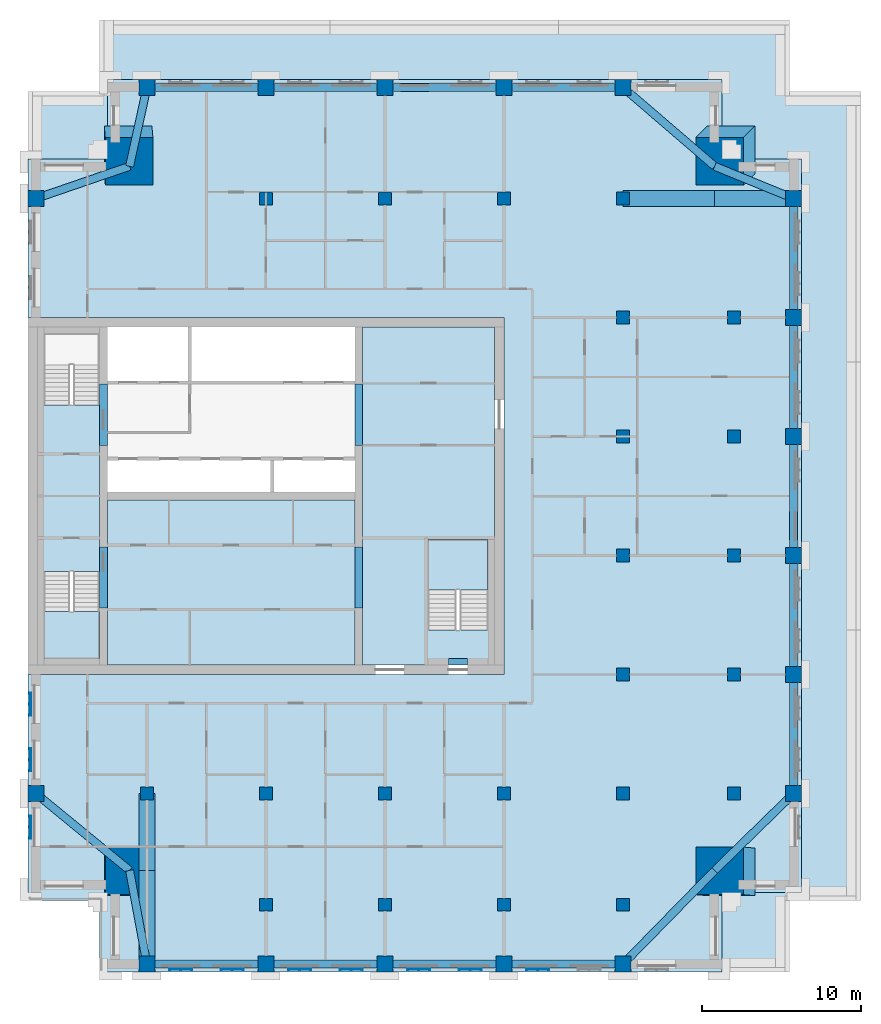
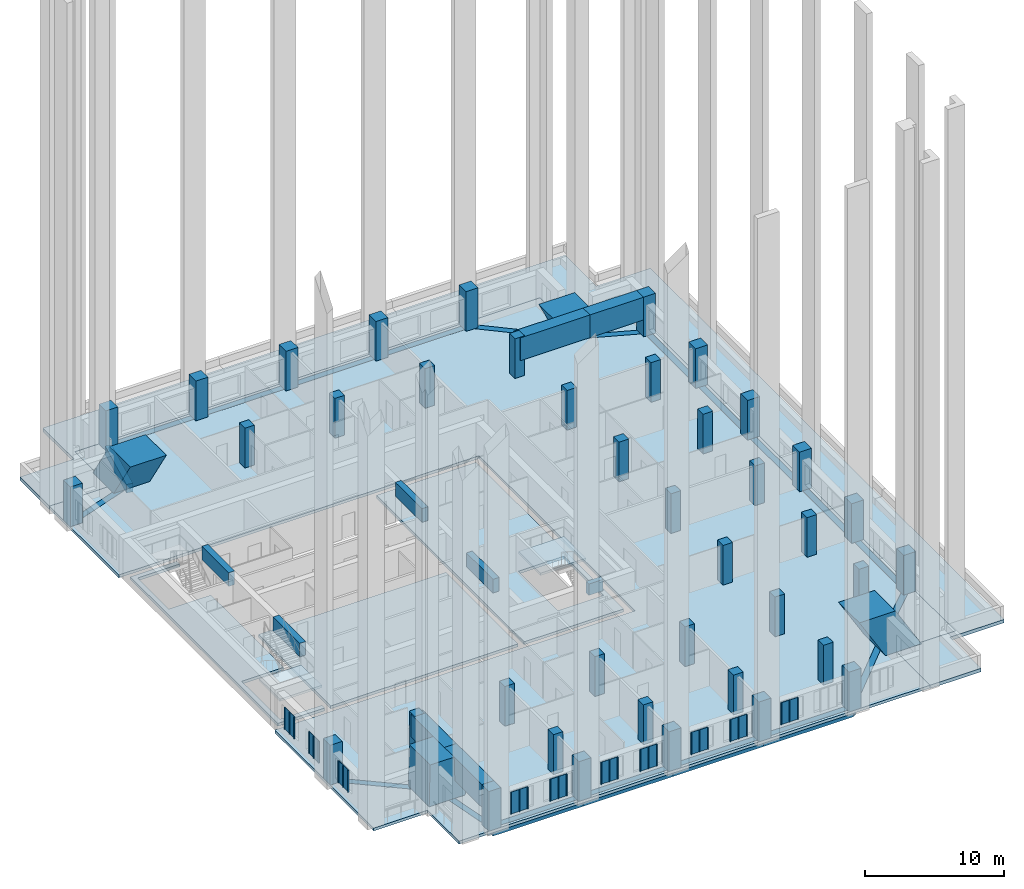
# One storey, part 1 of 12: 44 columns, 30 beams, 10 plates, 7 slabs, 2 elements without a shape of their own.
"""IFC4 building model written with IfcOpenShell, lengths in metres."""

from ifc_helpers import new_model, si_unit, direction, frame, origin, origin_2d, place, context, subcontext, project, spatial, polyline, rectangle, outline, extrude, material, layer, layer_set, material_profile, profile_set, type_object, element, aggregate, save


model = new_model("IFC4")

# Units and contexts
model_context = context("Model", 3, precision=1e-05, world=origin(), true_north=direction((0.0, 1.0)))
body_context = subcontext(model_context, "Body", "Model", "MODEL_VIEW")
ifc_project = project(units=[si_unit("LENGTHUNIT", "METRE"), si_unit("AREAUNIT", "SQUARE_METRE"), si_unit("VOLUMEUNIT", "CUBIC_METRE"), si_unit("PLANEANGLEUNIT", "RADIAN"), si_unit("MASSUNIT", "GRAM", prefix="KILO")], contexts=[model_context])

# Site, building, storey
site_placement = place(None, origin())
site = spatial("IfcSite", under=ifc_project, at=site_placement, CompositionType="ELEMENT")
building_placement = place(site_placement, origin())
building = spatial("IfcBuilding", under=site, at=building_placement, Name="Tamorin Gate", CompositionType="ELEMENT")
storey_placement = place(building_placement, frame((0.0, 0.0, 219.699951171875)))
storey = spatial("IfcBuildingStorey", under=building, at=storey_placement, Name="L54", CompositionType="ELEMENT", Elevation=219.699951171875)

# Columns
ifc_material_1 = material(Name="Concrete C50/60", Category="concrete")
ifc_material_profile_1 = material_profile(ifc_material_1, rectangle(XDim=1.0, YDim=1.0, at=origin_2d()), Name="RC 1000x1000")
ifc_profile_set_1 = profile_set([ifc_material_profile_1], Name="Concrete C50/60")
column_type_1 = type_object("IfcColumnType", Name="RC column 1000x1000 C50/60", PredefinedType="COLUMN", material=ifc_profile_set_1)
for number, where, z_axis, x_axis, name in (
    (1, (37.5, 41.75, 0.0), (0.0, 0.0, 1.0), (1.0, 0.0, 0.0), "Ring column L54"),
    (2, (45.0, 41.75, 0.0), (0.0, 0.0, 1.0), (1.0, 0.0, 0.0), "Ring column L54"),
    (3, (52.5, 41.75, 0.0), (0.0, 0.0, 1.0), (1.0, 0.0, 0.0), "Ring column L54"),
    (4, (60.0, 41.75, 0.0), (0.0, 0.0, 1.0), (1.0, 0.0, 0.0), "Ring column L54"),
    (5, (67.5, 41.75, 0.0), (0.0, 0.0, 1.0), (1.0, 0.0, 0.0), "Ring column L54"),
    (6, (78.25, 52.5, 0.0), (0.0, 0.0, 1.0), (1.0, 0.0, 0.0), "Ring column L54"),
    (7, (78.25, 60.0, 0.0), (0.0, 0.0, 1.0), (1.0, 0.0, 0.0), "Ring column L54"),
    (8, (78.25, 67.5, 0.0), (0.0, 0.0, 1.0), (1.0, 0.0, 0.0), "Ring column L54"),
    (9, (78.25, 75.0, 0.0), (0.0, 0.0, 1.0), (1.0, 0.0, 0.0), "Ring column L54"),
    (10, (78.25, 82.5, 0.0), (0.0, 0.0, 1.0), (1.0, 0.0, 0.0), "Ring column L54"),
    (11, (78.25, 90.0, 0.0), (0.0, 0.0, 1.0), (1.0, 0.0, 0.0), "Ring column L54"),
    (12, (30.5, 52.5, 0.0), (0.0, 0.0, 1.0), (1.0, 0.0, 0.0), "Ring column L54"),
    (13, (30.5, 90.0, 0.0), (0.0, 0.0, 1.0), (1.0, 0.0, 0.0), "Ring column L54"),
    (14, (37.5, 97.0, 0.0), (0.0, 0.0, 1.0), (1.0, 0.0, 0.0), "Ring column L54"),
    (15, (45.0, 97.0, 0.0), (0.0, 0.0, 1.0), (1.0, 0.0, 0.0), "Ring column L54"),
    (16, (52.5, 97.0, 0.0), (0.0, 0.0, 1.0), (1.0, 0.0, 0.0), "Ring column L54"),
    (17, (60.0, 97.0, 0.0), (0.0, 0.0, 1.0), (1.0, 0.0, 0.0), "Ring column L54"),
    (18, (67.5, 97.0, 0.0), (0.0, 0.0, 1.0), (1.0, 0.0, 0.0), "Ring column L54"),
):
    element("IfcColumn", number, at=place(storey_placement, frame(where, z_axis=z_axis, x_axis=x_axis)), inside=storey, type_object=column_type_1, Name=name, PredefinedType="COLUMN", context=body_context, shape_type="SweptSolid", body=[
        extrude(rectangle(XDim=1.0, YDim=1.0, at=origin_2d()), origin(), (0.0, 0.0, 1.0), 3.5),
    ])
ifc_material_profile_2 = material_profile(ifc_material_1, rectangle(XDim=3.0, YDim=3.0, at=origin_2d()), Name="RC 3000x3000")
ifc_profile_set_2 = profile_set([ifc_material_profile_2], Name="Concrete C50/60")
column_type_2 = type_object("IfcColumnType", Name="RC column 3000x3000 C50/60", PredefinedType="COLUMN", material=ifc_profile_set_2)
column_1_placement = place(storey_placement, frame((36.3125, 47.5625, 0.0), z_axis=(0.0, 0.0, 1.0), x_axis=(1.0, 0.0, 0.0)))
element("IfcColumn", 19, at=column_1_placement, inside=storey, type_object=column_type_2, Name="Mega column SW L54", PredefinedType="COLUMN", context=body_context, shape_type="SweptSolid", body=[
    extrude(rectangle(XDim=3.0, YDim=3.0, at=origin_2d()), origin(), (0.053418342735, 0.053418342735, 0.997142397714), 3.510009765625),
])
column_2_placement = place(storey_placement, frame((74.3125, 47.5625, 0.0), z_axis=(0.0, 0.0, 1.0), x_axis=(0.0, 1.0, 0.0)))
element("IfcColumn", 20, at=column_2_placement, inside=storey, type_object=column_type_2, Name="Mega column SE L54", PredefinedType="COLUMN", context=body_context, shape_type="SweptSolid", body=[
    extrude(rectangle(XDim=3.0, YDim=3.0, at=origin_2d()), origin(), (0.046104766608, 0.507152432692, 0.860622310023), 4.06689453125),
])
column_3_placement = place(storey_placement, frame((36.3125, 93.0625, 0.0), z_axis=(0.0, 0.0, 1.0), x_axis=(0.0, -1.0, 0.0)))
element("IfcColumn", 21, at=column_3_placement, inside=storey, type_object=column_type_2, Name="Mega column NW L54", PredefinedType="COLUMN", context=body_context, shape_type="SweptSolid", body=[
    extrude(rectangle(XDim=3.0, YDim=3.0, at=origin_2d()), origin(), (0.507152432692, 0.046104766608, 0.860622310023), 4.06689453125),
])
column_4_placement = place(storey_placement, frame((74.3125, 93.0625, 0.0), z_axis=(0.0, 0.0, 1.0), x_axis=(-1.0, 0.0, 0.0)))
element("IfcColumn", 22, at=column_4_placement, inside=storey, type_object=column_type_2, Name="Mega column NE L54", PredefinedType="COLUMN", context=body_context, shape_type="SweptSolid", body=[
    extrude(rectangle(XDim=3.0, YDim=3.0, at=origin_2d()), origin(), (0.452692359777, 0.452692359777, 0.768205216592), 4.55615234375),
])
ifc_material_profile_3 = material_profile(ifc_material_1, rectangle(XDim=0.800048828125, YDim=0.800048828125, at=origin_2d()), Name="RC 800x800")
ifc_profile_set_3 = profile_set([ifc_material_profile_3], Name="Concrete C50/60")
column_type_3 = type_object("IfcColumnType", Name="RC column 800x800 C50/60", PredefinedType="COLUMN", material=ifc_profile_set_3)
for number, where, z_axis, x_axis, name in (
    (23, (37.5, 52.5, 0.0), (0.0, 0.0, 1.0), (1.0, 0.0, 0.0), "Interior column L54"),
    (24, (45.0, 45.5, 0.0), (0.0, 0.0, 1.0), (1.0, 0.0, 0.0), "Interior column L54"),
    (25, (45.0, 52.5, 0.0), (0.0, 0.0, 1.0), (1.0, 0.0, 0.0), "Interior column L54"),
    (26, (45.0, 90.0, 0.0), (0.0, 0.0, 1.0), (1.0, 0.0, 0.0), "Interior column L54"),
    (27, (52.5, 45.5, 0.0), (0.0, 0.0, 1.0), (1.0, 0.0, 0.0), "Interior column L54"),
    (28, (52.5, 52.5, 0.0), (0.0, 0.0, 1.0), (1.0, 0.0, 0.0), "Interior column L54"),
    (29, (52.5, 90.0, 0.0), (0.0, 0.0, 1.0), (1.0, 0.0, 0.0), "Interior column L54"),
    (30, (60.0, 45.5, 0.0), (0.0, 0.0, 1.0), (1.0, 0.0, 0.0), "Interior column L54"),
    (31, (60.0, 52.5, 0.0), (0.0, 0.0, 1.0), (1.0, 0.0, 0.0), "Interior column L54"),
    (32, (60.0, 90.0, 0.0), (0.0, 0.0, 1.0), (1.0, 0.0, 0.0), "Interior column L54"),
    (33, (67.5, 45.5, 0.0), (0.0, 0.0, 1.0), (1.0, 0.0, 0.0), "Interior column L54"),
    (34, (67.5, 52.5, 0.0), (0.0, 0.0, 1.0), (1.0, 0.0, 0.0), "Interior column L54"),
    (35, (67.5, 60.0, 0.0), (0.0, 0.0, 1.0), (1.0, 0.0, 0.0), "Interior column L54"),
    (36, (67.5, 67.5, 0.0), (0.0, 0.0, 1.0), (1.0, 0.0, 0.0), "Interior column L54"),
    (37, (67.5, 75.0, 0.0), (0.0, 0.0, 1.0), (1.0, 0.0, 0.0), "Interior column L54"),
    (38, (67.5, 82.5, 0.0), (0.0, 0.0, 1.0), (1.0, 0.0, 0.0), "Interior column L54"),
    (39, (67.5, 90.0, 0.0), (0.0, 0.0, 1.0), (1.0, 0.0, 0.0), "Interior column L54"),
    (40, (74.5, 52.5, 0.0), (0.0, 0.0, 1.0), (1.0, 0.0, 0.0), "Interior column L54"),
    (41, (74.5, 60.0, 0.0), (0.0, 0.0, 1.0), (1.0, 0.0, 0.0), "Interior column L54"),
    (42, (74.5, 67.5, 0.0), (0.0, 0.0, 1.0), (1.0, 0.0, 0.0), "Interior column L54"),
    (43, (74.5, 75.0, 0.0), (0.0, 0.0, 1.0), (1.0, 0.0, 0.0), "Interior column L54"),
    (44, (74.5, 82.5, 0.0), (0.0, 0.0, 1.0), (1.0, 0.0, 0.0), "Interior column L54"),
):
    element("IfcColumn", number, at=place(storey_placement, frame(where, z_axis=z_axis, x_axis=x_axis)), inside=storey, type_object=column_type_3, Name=name, PredefinedType="COLUMN", context=body_context, shape_type="SweptSolid", body=[
        extrude(rectangle(XDim=0.800048828125, YDim=0.800048828125, at=origin_2d()), origin(), (0.0, 0.0, 1.0), 3.5),
    ])

# Beams
ifc_material_profile_4 = material_profile(ifc_material_1, rectangle(XDim=0.5, YDim=1.199951171875, at=origin_2d()), Name="RC 500x1200")
ifc_profile_set_4 = profile_set([ifc_material_profile_4], Name="Concrete C50/60")
beam_type_1 = type_object("IfcBeamType", Name="RC coupling beam 500x1200 C50/60", PredefinedType="BEAM", material=ifc_profile_set_4)
for number, where, z_axis, x_axis, name in (
    (45, (34.75, 64.199951171875, 2.900146484375), (0.0, 1.0, 0.0), (-1.0, 0.0, 0.0), "Coupling beam L54"),
    (46, (34.75, 74.449951171875, 2.900146484375), (0.0, 1.0, 0.0), (-1.0, 0.0, 0.0), "Coupling beam L54"),
    (47, (50.85009765625, 64.199951171875, 2.900146484375), (0.0, 1.0, 0.0), (-1.0, 0.0, 0.0), "Coupling beam L54"),
    (48, (50.85009765625, 74.449951171875, 2.900146484375), (0.0, 1.0, 0.0), (-1.0, 0.0, 0.0), "Coupling beam L54"),
):
    element("IfcBeam", number, at=place(storey_placement, frame(where, z_axis=z_axis, x_axis=x_axis)), inside=storey, type_object=beam_type_1, Name=name, PredefinedType="BEAM", context=body_context, shape_type="SweptSolid", body=[
        extrude(rectangle(XDim=0.5, YDim=1.199951171875, at=origin_2d()), origin(), (0.0, 0.0, 1.0), 3.85009765625),
    ])
ifc_material_profile_5 = material_profile(ifc_material_1, rectangle(XDim=0.5, YDim=0.75, at=origin_2d()), Name="RC 500x750")
ifc_profile_set_5 = profile_set([ifc_material_profile_5], Name="Concrete C50/60")
beam_type_2 = type_object("IfcBeamType", Name="RC spandrel 500x750 C50/60", PredefinedType="BEAM", material=ifc_profile_set_5)
for number, where, z_axis, x_axis, name in (
    (49, (37.5, 41.75, -0.375), (1.0, 0.0, 0.0), (0.0, 1.0, 0.0), "Spandrel beam L54"),
    (50, (45.0, 41.75, -0.375), (1.0, 0.0, 0.0), (0.0, 1.0, 0.0), "Spandrel beam L54"),
    (51, (52.5, 41.75, -0.375), (1.0, 0.0, 0.0), (0.0, 1.0, 0.0), "Spandrel beam L54"),
    (52, (60.0, 41.75, -0.375), (1.0, 0.0, 0.0), (0.0, 1.0, 0.0), "Spandrel beam L54"),
    (53, (78.25, 52.5, -0.375), (0.0, 1.0, 0.0), (-1.0, 0.0, 0.0), "Spandrel beam L54"),
    (54, (78.25, 60.0, -0.375), (0.0, 1.0, 0.0), (-1.0, 0.0, 0.0), "Spandrel beam L54"),
    (55, (78.25, 67.5, -0.375), (0.0, 1.0, 0.0), (-1.0, 0.0, 0.0), "Spandrel beam L54"),
    (56, (78.25, 75.0, -0.375), (0.0, 1.0, 0.0), (-1.0, 0.0, 0.0), "Spandrel beam L54"),
    (57, (78.25, 82.5, -0.375), (0.0, 1.0, 0.0), (-1.0, 0.0, 0.0), "Spandrel beam L54"),
    (58, (67.5, 97.0, -0.375), (-1.0, 0.0, 0.0), (0.0, -1.0, 0.0), "Spandrel beam L54"),
    (59, (60.0, 97.0, -0.375), (-1.0, 0.0, 0.0), (0.0, -1.0, 0.0), "Spandrel beam L54"),
    (60, (52.5, 97.0, -0.375), (-1.0, 0.0, 0.0), (0.0, -1.0, 0.0), "Spandrel beam L54"),
    (61, (45.0, 97.0, -0.375), (-1.0, 0.0, 0.0), (0.0, -1.0, 0.0), "Spandrel beam L54"),
):
    element("IfcBeam", number, at=place(storey_placement, frame(where, z_axis=z_axis, x_axis=x_axis)), inside=storey, type_object=beam_type_2, Name=name, PredefinedType="BEAM", context=body_context, shape_type="SweptSolid", body=[
        extrude(rectangle(XDim=0.5, YDim=0.75, at=origin_2d()), origin(), (0.0, 0.0, 1.0), 7.5),
    ])
beam_1_placement = place(storey_placement, frame((36.40625, 47.65625, -0.375), z_axis=(0.182089260182, -0.983282004984, 0.0), x_axis=(0.983282004984, 0.182089260182, 0.0)))
element("IfcBeam", 62, at=beam_1_placement, inside=storey, type_object=beam_type_2, Name="Corner tie beam L54", PredefinedType="BEAM", context=body_context, shape_type="SweptSolid", body=[
    extrude(rectangle(XDim=0.5, YDim=0.75, at=origin_2d()), origin(), (0.0, 0.0, 1.0), 6.006591796875),
])
beam_2_placement = place(storey_placement, frame((36.40625, 47.65625, -0.375), z_axis=(-0.773227670025, 0.634128512454, 0.0), x_axis=(-0.634128512454, -0.773227670025, 0.0)))
element("IfcBeam", 63, at=beam_2_placement, inside=storey, type_object=beam_type_2, Name="Corner tie beam L54", PredefinedType="BEAM", context=body_context, shape_type="SweptSolid", body=[
    extrude(rectangle(XDim=0.5, YDim=0.75, at=origin_2d()), origin(), (0.0, 0.0, 1.0), 7.638427734375),
])
beam_3_placement = place(storey_placement, frame((73.28125, 47.65625, -0.375), z_axis=(0.716056413, 0.698042415188, 0.0), x_axis=(-0.698042415188, 0.716056413, 0.0)))
element("IfcBeam", 64, at=beam_3_placement, inside=storey, type_object=beam_type_2, Name="Corner tie beam L54", PredefinedType="BEAM", context=body_context, shape_type="SweptSolid", body=[
    extrude(rectangle(XDim=0.5, YDim=0.75, at=origin_2d()), origin(), (0.0, 0.0, 1.0), 6.93896484375),
])
beam_4_placement = place(storey_placement, frame((73.28125, 47.65625, -0.375), z_axis=(-0.69950413586, -0.714628549608, 0.0), x_axis=(0.714628549608, -0.69950413586, 0.0)))
element("IfcBeam", 65, at=beam_4_placement, inside=storey, type_object=beam_type_2, Name="Corner tie beam L54", PredefinedType="BEAM", context=body_context, shape_type="SweptSolid", body=[
    extrude(rectangle(XDim=0.5, YDim=0.75, at=origin_2d()), origin(), (0.0, 0.0, 1.0), 8.264892578125),
])
beam_5_placement = place(storey_placement, frame((36.40625, 92.03125, -0.375), z_axis=(0.214978955029, 0.976618681418, 0.0), x_axis=(-0.976618681418, 0.214978955029, 0.0)))
element("IfcBeam", 66, at=beam_5_placement, inside=storey, type_object=beam_type_2, Name="Corner tie beam L54", PredefinedType="BEAM", context=body_context, shape_type="SweptSolid", body=[
    extrude(rectangle(XDim=0.5, YDim=0.75, at=origin_2d()), origin(), (0.0, 0.0, 1.0), 5.087646484375),
])
beam_6_placement = place(storey_placement, frame((36.40625, 92.03125, -0.375), z_axis=(-0.945638521576, -0.325219597367, 0.0), x_axis=(0.325219597367, -0.945638521576, 0.0)))
element("IfcBeam", 67, at=beam_6_placement, inside=storey, type_object=beam_type_2, Name="Corner tie beam L54", PredefinedType="BEAM", context=body_context, shape_type="SweptSolid", body=[
    extrude(rectangle(XDim=0.5, YDim=0.75, at=origin_2d()), origin(), (0.0, 0.0, 1.0), 6.245849609375),
])
beam_7_placement = place(storey_placement, frame((73.28125, 92.03125, -0.375), z_axis=(0.925639662425, -0.378406151306, 0.0), x_axis=(0.378406151306, 0.925639662425, 0.0)))
element("IfcBeam", 68, at=beam_7_placement, inside=storey, type_object=beam_type_2, Name="Corner tie beam L54", PredefinedType="BEAM", context=body_context, shape_type="SweptSolid", body=[
    extrude(rectangle(XDim=0.5, YDim=0.75, at=origin_2d()), origin(), (0.0, 0.0, 1.0), 5.367919921875),
])
beam_8_placement = place(storey_placement, frame((73.28125, 92.03125, -0.375), z_axis=(-0.758387819987, 0.651803585826, 0.0), x_axis=(-0.651803585826, -0.758387819987, 0.0)))
element("IfcBeam", 69, at=beam_8_placement, inside=storey, type_object=beam_type_2, Name="Corner tie beam L54", PredefinedType="BEAM", context=body_context, shape_type="SweptSolid", body=[
    extrude(rectangle(XDim=0.5, YDim=0.75, at=origin_2d()), origin(), (0.0, 0.0, 1.0), 7.623046875),
])
ifc_material_2 = material(Name="Concrete C60/75", Category="concrete")
ifc_material_profile_6 = material_profile(ifc_material_2, rectangle(XDim=1.0, YDim=2.0, at=origin_2d()), Name="RC 1000x2000")
ifc_profile_set_6 = profile_set([ifc_material_profile_6], Name="Concrete C60/75")
beam_type_3 = type_object("IfcBeamType", Name="RC transfer girder 1000x2000 C60/75", PredefinedType="BEAM", material=ifc_profile_set_6)
beam_9_placement = place(storey_placement, frame((37.5, 41.75, 2.5), z_axis=(0.0, 1.0, 0.0), x_axis=(-1.0, 0.0, 0.0)))
element("IfcBeam", 70, at=beam_9_placement, inside=storey, type_object=beam_type_3, Name="Transfer girder L54", PredefinedType="BEAM", context=body_context, shape_type="SweptSolid", body=[
    extrude(rectangle(XDim=1.0, YDim=2.0, at=origin_2d()), origin(), (0.0, 0.0, 1.0), 5.90625),
])
beam_10_placement = place(storey_placement, frame((37.5, 47.65625, 2.5), z_axis=(0.0, 1.0, 0.0), x_axis=(-1.0, 0.0, 0.0)))
element("IfcBeam", 71, at=beam_10_placement, inside=storey, type_object=beam_type_3, Name="Transfer girder L54", PredefinedType="BEAM", context=body_context, shape_type="SweptSolid", body=[
    extrude(rectangle(XDim=1.0, YDim=2.0, at=origin_2d()), origin(), (0.0, 0.0, 1.0), 4.84375),
])
beam_11_placement = place(storey_placement, frame((67.5, 90.0, 2.5), z_axis=(1.0, 0.0, 0.0), x_axis=(0.0, 1.0, 0.0)))
element("IfcBeam", 72, at=beam_11_placement, inside=storey, type_object=beam_type_3, Name="Transfer girder L54", PredefinedType="BEAM", context=body_context, shape_type="SweptSolid", body=[
    extrude(rectangle(XDim=1.0, YDim=2.0, at=origin_2d()), origin(), (0.0, 0.0, 1.0), 5.78125),
])
beam_12_placement = place(storey_placement, frame((73.28125, 90.0, 2.5), z_axis=(1.0, 0.0, 0.0), x_axis=(0.0, 1.0, 0.0)))
element("IfcBeam", 73, at=beam_12_placement, inside=storey, type_object=beam_type_3, Name="Transfer girder L54", PredefinedType="BEAM", context=body_context, shape_type="SweptSolid", body=[
    extrude(rectangle(XDim=1.0, YDim=2.0, at=origin_2d()), origin(), (0.0, 0.0, 1.0), 4.96875),
])
ifc_material_profile_7 = material_profile(ifc_material_1, rectangle(XDim=0.39990234375, YDim=1.0, at=origin_2d()))
ifc_profile_set_7 = profile_set([ifc_material_profile_7], Name="Concrete C50/60")
beam_type_4 = type_object("IfcBeamType", Name="Stair lintel 400x1000 C50/60", PredefinedType="BEAM", material=ifc_profile_set_7)
beam_13_placement = place(storey_placement, frame((56.5, 60.800048828125, 2.699951171875), z_axis=(1.0, 0.0, 0.0), x_axis=(0.0, 1.0, 0.0)))
element("IfcBeam", 74, at=beam_13_placement, inside=storey, type_object=beam_type_4, Name="Stair lintel", PredefinedType="BEAM", context=body_context, shape_type="SweptSolid", body=[
    extrude(rectangle(XDim=0.39990234375, YDim=1.0, at=origin_2d()), origin(), (0.0, 0.0, 1.0), 1.199951171875),
])

# Slabs
ifc_material_3 = material(Name="Concrete C40/50", Category="concrete")
ifc_layer_1 = layer(ifc_material_3, 0.25)
ifc_layer_set_1 = layer_set([ifc_layer_1], Name="Core floor slab 250 C40/50")
slab_type_1 = type_object("IfcSlabType", Name="Core floor slab 250 C40/50", PredefinedType="FLOOR", material=ifc_layer_set_1)
slab_1_placement = place(storey_placement, frame((0.0, 0.0, -0.25)))
element("IfcSlab", 75, at=slab_1_placement, inside=storey, type_object=slab_type_1, Name="Core floor L54", PredefinedType="FLOOR", context=body_context, shape_type="SweptSolid", body=[
    extrude(outline(polyline([(51.10009765625, 81.89990234375), (59.39990234375, 81.89990234375), (59.39990234375, 60.60009765625), (51.10009765625, 60.60009765625), (51.10009765625, 81.89990234375)]), holes=[polyline([(55.199951171875, 62.800048828125), (59.0, 62.800048828125), (59.0, 68.5), (55.199951171875, 68.5), (55.199951171875, 62.800048828125)])]), origin(), (0.0, 0.0, 1.0), 0.25),
])
slab_2_placement = place(storey_placement, frame((0.0, 0.0, -0.25)))
element("IfcSlab", 76, at=slab_2_placement, inside=storey, type_object=slab_type_1, Name="Core floor L54", PredefinedType="FLOOR", context=body_context, shape_type="SweptSolid", body=[
    extrude(outline(polyline([(50.60009765625, 71.0), (50.60009765625, 60.60009765625), (35.0, 60.60009765625), (35.0, 71.0), (50.60009765625, 71.0)])), origin(), (0.0, 0.0, 1.0), 0.25),
])
slab_3_placement = place(storey_placement, frame((0.0, 0.0, -0.25)))
element("IfcSlab", 77, at=slab_3_placement, inside=storey, type_object=slab_type_1, Name="Core floor L54", PredefinedType="FLOOR", context=body_context, shape_type="SweptSolid", body=[
    extrude(outline(polyline([(34.5, 60.60009765625), (30.60009765625, 60.60009765625), (30.60009765625, 81.89990234375), (34.5, 81.89990234375), (34.5, 81.5), (31.0, 81.5), (31.0, 77.0), (34.5, 77.0), (34.5, 66.5), (31.0, 66.5), (31.0, 61.0), (34.5, 61.0), (34.5, 60.60009765625)])), origin(), (0.0, 0.0, 1.0), 0.25),
])

# Stair, slab
stair_type = type_object("IfcStairType", Name="Exit stair", PredefinedType="HALF_TURN_STAIR", material=ifc_material_3)
stair_1_placement = place(storey_placement, origin())
stair_1 = element("IfcStair", 78, at=stair_1_placement, inside=storey, type_object=stair_type, Name="L54 stair ST1", PredefinedType="HALF_TURN_STAIR")
ifc_layer_2 = layer(ifc_material_3, 0.199951171875)
ifc_layer_set_2 = layer_set([ifc_layer_2], Name="Exit stair landing 200")
slab_type_2 = type_object("IfcSlabType", Name="Exit stair landing 200", PredefinedType="LANDING", material=ifc_layer_set_2)
slab_4_placement = place(storey_placement, frame((0.0, 0.0, 1.550048828125)))
slab_4 = element("IfcSlab", 79, at=slab_4_placement, type_object=slab_type_2, Name="ST1 landing 1", PredefinedType="LANDING", context=body_context, shape_type="SweptSolid", body=[
    extrude(outline(polyline([(31.0, 63.97998046875), (31.0, 61.0), (34.5, 61.0), (34.5, 63.97998046875), (31.0, 63.97998046875)])), origin(), (0.0, 0.0, 1.0), 0.199951171875),
])
aggregate(stair_1, [slab_4])

stair_2_placement = place(storey_placement, origin())
stair_2 = element("IfcStair", 80, at=stair_2_placement, inside=storey, type_object=stair_type, Name="L54 stair ST3", PredefinedType="HALF_TURN_STAIR")
slab_5_placement = place(storey_placement, frame((0.0, 0.0, 1.550048828125)))
slab_5 = element("IfcSlab", 81, at=slab_5_placement, type_object=slab_type_2, Name="ST3 landing 1", PredefinedType="LANDING", context=body_context, shape_type="SweptSolid", body=[
    extrude(outline(polyline([(59.0, 65.320068359375), (59.0, 68.5), (55.199951171875, 68.5), (55.199951171875, 65.320068359375), (59.0, 65.320068359375)])), origin(), (0.0, 0.0, 1.0), 0.199951171875),
])
aggregate(stair_2, [slab_5])

# Slab
ifc_layer_3 = layer(ifc_material_3, 0.25)
ifc_layer_set_3 = layer_set([ifc_layer_3], Name="Floor slab 250 C40/50")
slab_type_3 = type_object("IfcSlabType", Name="Floor slab 250 C40/50", PredefinedType="FLOOR", material=ifc_layer_set_3)
slab_6_placement = place(storey_placement, frame((0.0, 0.0, -0.25)))
element("IfcSlab", 82, at=slab_6_placement, inside=storey, type_object=slab_type_3, Name="Floor L54", PredefinedType="FLOOR", context=body_context, shape_type="SweptSolid", body=[
    extrude(outline(polyline([(30.0, 45.75), (30.0, 60.0), (60.0, 60.0), (60.0, 82.5), (30.0, 82.5), (30.0, 92.5), (35.0, 92.5), (35.0, 97.5), (73.75, 97.5), (73.75, 92.5), (78.75, 92.5), (78.75, 46.25), (73.75, 46.25), (73.75, 41.25), (34.5, 41.25), (34.5, 45.75), (30.0, 45.75)])), origin(), (0.0, 0.0, 1.0), 0.25),
])

# Plates
ifc_material_4 = material(Name="Perforated pale aluminium sheet", Category="aluminium")
ifc_layer_4 = layer(ifc_material_4, 0.0400390625)
ifc_layer_set_4 = layer_set([ifc_layer_4], Name="Pale metal solar screen 1440")
plate_type = type_object("IfcPlateType", Name="Pale metal solar screen 1440", PredefinedType="SHEET", material=ifc_layer_set_4)
plate_1_placement = place(storey_placement, frame((0.0, 0.0, 0.737548828125)))
element("IfcPlate", 83, at=plate_1_placement, inside=storey, type_object=plate_type, Name="Perforated solar screen", PredefinedType="SHEET", context=body_context, shape_type="SweptSolid", body=[
    extrude(outline(polyline([(38.905029296875, 41.409912109375), (38.905029296875, 41.449951171875), (38.965087890625, 41.449951171875), (39.594970703125, 41.449951171875), (39.655029296875, 41.449951171875), (40.284912109375, 41.449951171875), (40.344970703125, 41.449951171875), (40.344970703125, 41.449951171875), (40.344970703125, 41.409912109375), (40.344970703125, 41.409912109375), (40.344970703125, 41.35009765625), (40.284912109375, 41.35009765625), (40.284912109375, 41.409912109375), (39.655029296875, 41.409912109375), (39.655029296875, 41.35009765625), (39.594970703125, 41.35009765625), (39.594970703125, 41.409912109375), (38.965087890625, 41.409912109375), (38.965087890625, 41.35009765625), (38.905029296875, 41.35009765625), (38.905029296875, 41.409912109375)])), origin(), (0.0, 0.0, 1.0), 1.925048828125),
])
plate_2_placement = place(storey_placement, frame((0.0, 0.0, 0.737548828125)))
element("IfcPlate", 84, at=plate_2_placement, inside=storey, type_object=plate_type, Name="Perforated solar screen", PredefinedType="SHEET", context=body_context, shape_type="SweptSolid", body=[
    extrude(outline(polyline([(42.155029296875, 41.409912109375), (42.155029296875, 41.449951171875), (42.215087890625, 41.449951171875), (42.844970703125, 41.449951171875), (42.905029296875, 41.449951171875), (43.534912109375, 41.449951171875), (43.594970703125, 41.449951171875), (43.594970703125, 41.409912109375), (43.594970703125, 41.35009765625), (43.534912109375, 41.35009765625), (43.534912109375, 41.409912109375), (42.905029296875, 41.409912109375), (42.905029296875, 41.35009765625), (42.844970703125, 41.35009765625), (42.844970703125, 41.409912109375), (42.215087890625, 41.409912109375), (42.215087890625, 41.35009765625), (42.155029296875, 41.35009765625), (42.155029296875, 41.409912109375)])), origin(), (0.0, 0.0, 1.0), 1.925048828125),
])
plate_3_placement = place(storey_placement, frame((0.0, 0.0, 0.737548828125)))
element("IfcPlate", 85, at=plate_3_placement, inside=storey, type_object=plate_type, Name="Perforated solar screen", PredefinedType="SHEET", context=body_context, shape_type="SweptSolid", body=[
    extrude(outline(polyline([(46.405029296875, 41.409912109375), (46.405029296875, 41.449951171875), (46.465087890625, 41.449951171875), (47.094970703125, 41.449951171875), (47.155029296875, 41.449951171875), (47.784912109375, 41.449951171875), (47.844970703125, 41.449951171875), (47.844970703125, 41.409912109375), (47.844970703125, 41.35009765625), (47.784912109375, 41.35009765625), (47.784912109375, 41.409912109375), (47.155029296875, 41.409912109375), (47.155029296875, 41.35009765625), (47.094970703125, 41.35009765625), (47.094970703125, 41.409912109375), (46.465087890625, 41.409912109375), (46.465087890625, 41.35009765625), (46.405029296875, 41.35009765625), (46.405029296875, 41.409912109375)])), origin(), (0.0, 0.0, 1.0), 1.925048828125),
])
plate_4_placement = place(storey_placement, frame((0.0, 0.0, 0.737548828125)))
element("IfcPlate", 86, at=plate_4_placement, inside=storey, type_object=plate_type, Name="Perforated solar screen", PredefinedType="SHEET", context=body_context, shape_type="SweptSolid", body=[
    extrude(outline(polyline([(49.655029296875, 41.409912109375), (49.655029296875, 41.449951171875), (49.715087890625, 41.449951171875), (50.344970703125, 41.449951171875), (50.405029296875, 41.449951171875), (51.034912109375, 41.449951171875), (51.094970703125, 41.449951171875), (51.094970703125, 41.409912109375), (51.094970703125, 41.35009765625), (51.034912109375, 41.35009765625), (51.034912109375, 41.409912109375), (50.405029296875, 41.409912109375), (50.405029296875, 41.35009765625), (50.344970703125, 41.35009765625), (50.344970703125, 41.409912109375), (49.715087890625, 41.409912109375), (49.715087890625, 41.35009765625), (49.655029296875, 41.35009765625), (49.655029296875, 41.409912109375)])), origin(), (0.0, 0.0, 1.0), 1.925048828125),
])
plate_5_placement = place(storey_placement, frame((0.0, 0.0, 0.737548828125)))
element("IfcPlate", 87, at=plate_5_placement, inside=storey, type_object=plate_type, Name="Perforated solar screen", PredefinedType="SHEET", context=body_context, shape_type="SweptSolid", body=[
    extrude(outline(polyline([(53.905029296875, 41.409912109375), (53.905029296875, 41.449951171875), (53.965087890625, 41.449951171875), (54.594970703125, 41.449951171875), (54.655029296875, 41.449951171875), (55.284912109375, 41.449951171875), (55.344970703125, 41.449951171875), (55.344970703125, 41.409912109375), (55.344970703125, 41.35009765625), (55.284912109375, 41.35009765625), (55.284912109375, 41.409912109375), (54.655029296875, 41.409912109375), (54.655029296875, 41.35009765625), (54.594970703125, 41.35009765625), (54.594970703125, 41.409912109375), (53.965087890625, 41.409912109375), (53.965087890625, 41.35009765625), (53.905029296875, 41.35009765625), (53.905029296875, 41.409912109375)])), origin(), (0.0, 0.0, 1.0), 1.925048828125),
])
plate_6_placement = place(storey_placement, frame((0.0, 0.0, 0.737548828125)))
element("IfcPlate", 88, at=plate_6_placement, inside=storey, type_object=plate_type, Name="Perforated solar screen", PredefinedType="SHEET", context=body_context, shape_type="SweptSolid", body=[
    extrude(outline(polyline([(57.155029296875, 41.409912109375), (57.155029296875, 41.449951171875), (57.215087890625, 41.449951171875), (57.844970703125, 41.449951171875), (57.905029296875, 41.449951171875), (58.534912109375, 41.449951171875), (58.594970703125, 41.449951171875), (58.594970703125, 41.409912109375), (58.594970703125, 41.35009765625), (58.534912109375, 41.35009765625), (58.534912109375, 41.409912109375), (57.905029296875, 41.409912109375), (57.905029296875, 41.35009765625), (57.844970703125, 41.35009765625), (57.844970703125, 41.409912109375), (57.215087890625, 41.409912109375), (57.215087890625, 41.35009765625), (57.155029296875, 41.35009765625), (57.155029296875, 41.409912109375)])), origin(), (0.0, 0.0, 1.0), 1.925048828125),
])
plate_7_placement = place(storey_placement, frame((0.0, 0.0, 0.737548828125)))
element("IfcPlate", 89, at=plate_7_placement, inside=storey, type_object=plate_type, Name="Perforated solar screen", PredefinedType="SHEET", context=body_context, shape_type="SweptSolid", body=[
    extrude(outline(polyline([(61.405029296875, 41.409912109375), (61.405029296875, 41.449951171875), (61.465087890625, 41.449951171875), (62.094970703125, 41.449951171875), (62.155029296875, 41.449951171875), (62.784912109375, 41.449951171875), (62.844970703125, 41.449951171875), (62.844970703125, 41.409912109375), (62.844970703125, 41.35009765625), (62.784912109375, 41.35009765625), (62.784912109375, 41.409912109375), (62.155029296875, 41.409912109375), (62.155029296875, 41.35009765625), (62.094970703125, 41.35009765625), (62.094970703125, 41.409912109375), (61.465087890625, 41.409912109375), (61.465087890625, 41.35009765625), (61.405029296875, 41.35009765625), (61.405029296875, 41.409912109375)])), origin(), (0.0, 0.0, 1.0), 1.925048828125),
])
plate_8_placement = place(storey_placement, frame((0.0, 0.0, 0.737548828125)))
element("IfcPlate", 90, at=plate_8_placement, inside=storey, type_object=plate_type, Name="Perforated solar screen", PredefinedType="SHEET", context=body_context, shape_type="SweptSolid", body=[
    extrude(outline(polyline([(30.159912109375, 55.344970703125), (30.199951171875, 55.344970703125), (30.199951171875, 55.284912109375), (30.199951171875, 54.655029296875), (30.199951171875, 54.594970703125), (30.199951171875, 53.965087890625), (30.199951171875, 53.905029296875), (30.159912109375, 53.905029296875), (30.10009765625, 53.905029296875), (30.10009765625, 53.965087890625), (30.159912109375, 53.965087890625), (30.159912109375, 54.594970703125), (30.10009765625, 54.594970703125), (30.10009765625, 54.655029296875), (30.159912109375, 54.655029296875), (30.159912109375, 55.284912109375), (30.10009765625, 55.284912109375), (30.10009765625, 55.344970703125), (30.159912109375, 55.344970703125)])), origin(), (0.0, 0.0, 1.0), 1.925048828125),
])
plate_9_placement = place(storey_placement, frame((0.0, 0.0, 0.737548828125)))
element("IfcPlate", 91, at=plate_9_placement, inside=storey, type_object=plate_type, Name="Perforated solar screen", PredefinedType="SHEET", context=body_context, shape_type="SweptSolid", body=[
    extrude(outline(polyline([(30.159912109375, 58.844970703125), (30.199951171875, 58.844970703125), (30.199951171875, 58.784912109375), (30.199951171875, 58.155029296875), (30.199951171875, 58.094970703125), (30.199951171875, 57.465087890625), (30.199951171875, 57.405029296875), (30.159912109375, 57.405029296875), (30.10009765625, 57.405029296875), (30.10009765625, 57.465087890625), (30.159912109375, 57.465087890625), (30.159912109375, 58.094970703125), (30.10009765625, 58.094970703125), (30.10009765625, 58.155029296875), (30.159912109375, 58.155029296875), (30.159912109375, 58.784912109375), (30.10009765625, 58.784912109375), (30.10009765625, 58.844970703125), (30.159912109375, 58.844970703125)])), origin(), (0.0, 0.0, 1.0), 1.925048828125),
])
plate_10_placement = place(storey_placement, frame((0.0, 0.0, 0.737548828125)))
element("IfcPlate", 92, at=plate_10_placement, inside=storey, type_object=plate_type, Name="Perforated solar screen", PredefinedType="SHEET", context=body_context, shape_type="SweptSolid", body=[
    extrude(outline(polyline([(30.159912109375, 51.094970703125), (30.199951171875, 51.094970703125), (30.199951171875, 51.034912109375), (30.199951171875, 50.405029296875), (30.199951171875, 50.344970703125), (30.199951171875, 49.715087890625), (30.199951171875, 49.655029296875), (30.159912109375, 49.655029296875), (30.10009765625, 49.655029296875), (30.10009765625, 49.715087890625), (30.159912109375, 49.715087890625), (30.159912109375, 50.344970703125), (30.10009765625, 50.344970703125), (30.10009765625, 50.405029296875), (30.159912109375, 50.405029296875), (30.159912109375, 51.034912109375), (30.10009765625, 51.034912109375), (30.10009765625, 51.094970703125), (30.159912109375, 51.094970703125)])), origin(), (0.0, 0.0, 1.0), 1.925048828125),
])

# Slab
ifc_layer_5 = layer(ifc_material_3, 0.300048828125)
ifc_layer_set_5 = layer_set([ifc_layer_5], Name="Terrace slab 300 C40/50")
slab_type_4 = type_object("IfcSlabType", Name="Terrace slab 300 C40/50", PredefinedType="ROOF", material=ifc_layer_set_5)
slab_7_placement = place(storey_placement, frame((0.0, 0.0, -0.300048828125)))
element("IfcSlab", 93, at=slab_7_placement, inside=storey, type_object=slab_type_4, Name="Terrace L54", PredefinedType="ROOF", context=body_context, shape_type="SweptSolid", body=[
    extrude(outline(polyline([(30.0, 96.75), (34.5, 96.75), (34.5, 101.25), (78.0, 101.25), (78.0, 96.75), (82.5, 96.75), (82.5, 45.75), (78.0, 45.75), (78.0, 41.25), (73.75, 41.25), (73.75, 46.25), (78.75, 46.25), (78.75, 92.5), (73.75, 92.5), (73.75, 97.5), (35.0, 97.5), (35.0, 92.5), (30.0, 92.5), (30.0, 96.75)])), origin(), (0.0, 0.0, 1.0), 0.300048828125),
])

save(model, "model.ifc")
